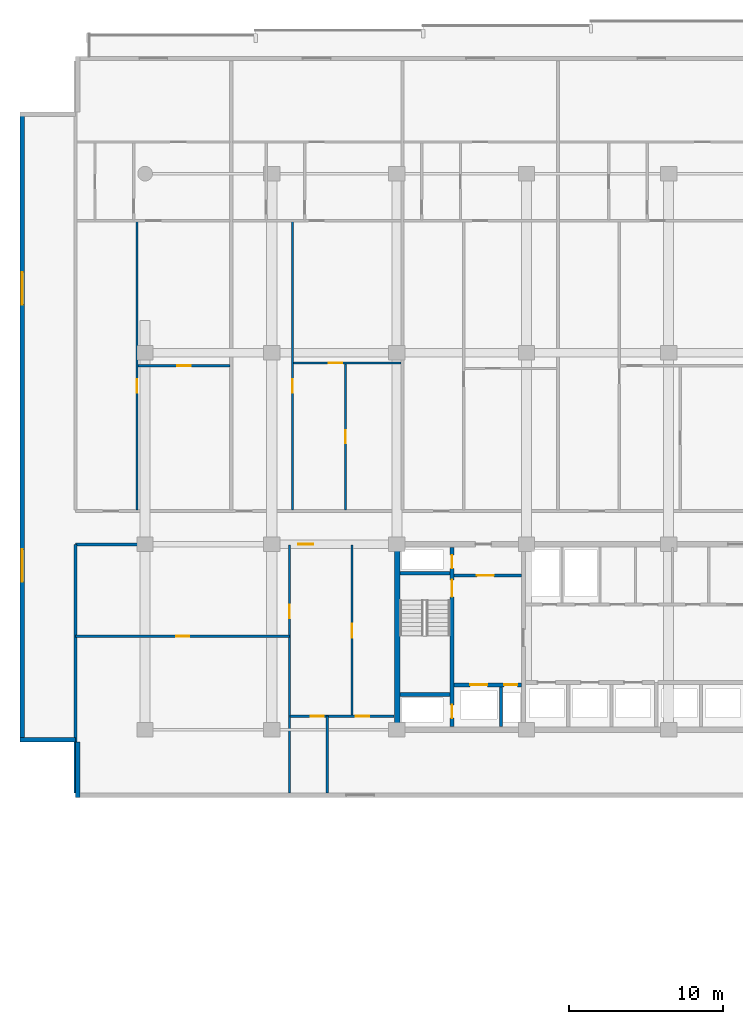
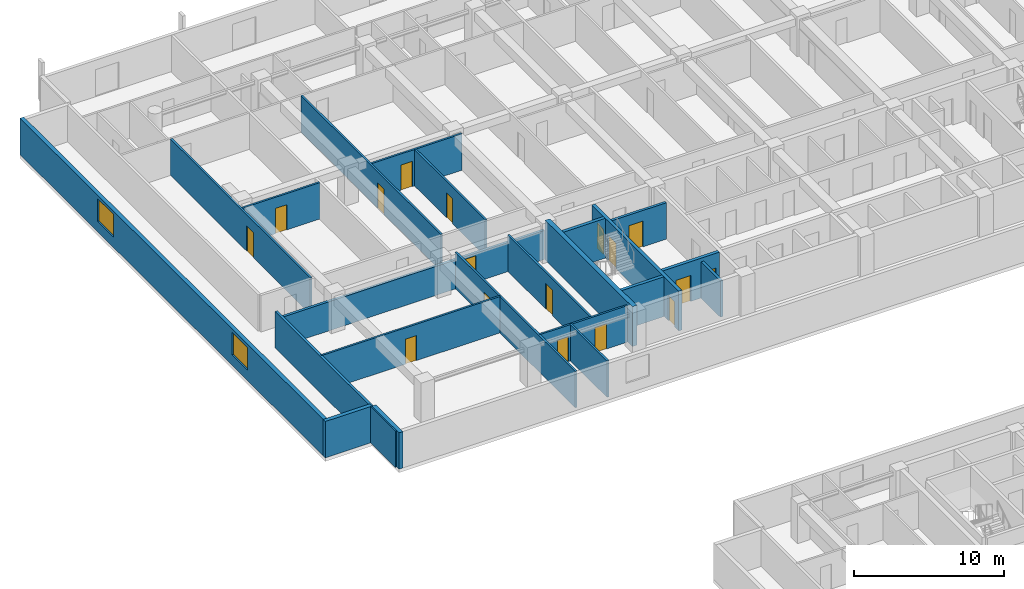
# One storey, part 9 of 23: 22 walls, 17 doors, 2 windows, 19 openings.
"""IFC4 building model written with IfcOpenShell, lengths in metres."""

from ifc_helpers import new_model, si_unit, direction, frame, frame_2d, origin, place, context, subcontext, project, spatial, rectangle, extrude, material, layer, layer_set, type_object, element, fill, save


model = new_model("IFC4")

# Units and contexts
model_context = context("Model", 3, precision=1e-05, world=origin(), true_north=direction((0.0, 1.0)))
body_context = subcontext(model_context, "Body", "Model", "MODEL_VIEW")
ifc_project = project(units=[si_unit("LENGTHUNIT", "METRE"), si_unit("AREAUNIT", "SQUARE_METRE"), si_unit("VOLUMEUNIT", "CUBIC_METRE"), si_unit("PLANEANGLEUNIT", "RADIAN"), si_unit("MASSUNIT", "GRAM", prefix="KILO")], contexts=[model_context])

# Site, building, storey
site_placement = place(None, origin())
site = spatial("IfcSite", under=ifc_project, at=site_placement, CompositionType="ELEMENT")
building_placement = place(site_placement, origin())
building = spatial("IfcBuilding", under=site, at=building_placement, Name="Korimba Cascade Residences", CompositionType="ELEMENT")
storey_placement = place(building_placement, frame((0.0, 0.0, 30.5)))
storey = spatial("IfcBuildingStorey", under=building, at=storey_placement, Name="L07", CompositionType="ELEMENT", Elevation=30.5)

# Wall, openings, windows
ifc_material_1 = material(Name="Precast concrete C40/50", Category="concrete")
ifc_layer_1 = layer(ifc_material_1, 0.300048828125)
ifc_layer_set_1 = layer_set([ifc_layer_1], Name="Precast concrete C40/50")
wall_type_1 = type_object("IfcWallType", Name="EW-STONE-300", PredefinedType="STANDARD", material=ifc_layer_set_1)
wall_1_placement = place(storey_placement, frame((51.85009765625, 95.199951171875, 0.0), z_axis=(0.0, 0.0, 1.0), x_axis=(0.0, -1.0, 0.0)))
wall_1 = element("IfcWall", 1, at=wall_1_placement, inside=storey, type_object=wall_type_1, Name="L07 T1 Perimeter Stone Wall E09", PredefinedType="STANDARD", context=body_context, shape_type="SweptSolid", body=[
    extrude(rectangle(XDim=40.800048828125, YDim=0.300048828125, at=frame_2d((20.39990234375, 0.0))), origin(), (0.0, 0.0, 1.0), 2.969970703125),
])
opening_1_placement = place(wall_1_placement, frame((10.3740234375, 0.0, 0.85009765625)))
opening_1 = element("IfcOpeningElement", 2, at=opening_1_placement, cuts=wall_1, Name="Opening W-03", PredefinedType="OPENING", context=body_context, shape_type="SweptSolid", body=[
    extrude(rectangle(XDim=2.10009765625, YDim=1.85009765625, at=frame_2d((1.050048828125, 0.925048828125))), frame((0.0, 0.16015625, 0.0), z_axis=(0.0, -1.0, 0.0), x_axis=(1.0, 0.0, 0.0)), (0.0, 0.0, 1.0), 0.320068359375),
])
opening_2_placement = place(wall_1_placement, frame((28.325927734375, 0.0, 0.85009765625)))
opening_2 = element("IfcOpeningElement", 3, at=opening_2_placement, cuts=wall_1, Name="Opening W-03", PredefinedType="OPENING", context=body_context, shape_type="SweptSolid", body=[
    extrude(rectangle(XDim=2.10009765625, YDim=1.85009765625, at=frame_2d((1.050048828125, 0.925048828125))), frame((0.0, 0.16015625, 0.0), z_axis=(0.0, -1.0, 0.0), x_axis=(1.0, 0.0, 0.0)), (0.0, 0.0, 1.0), 0.320068359375),
])
ifc_material_2 = material(Name="Double-Glazed Aluminium Window", Category="aluminium")
window_type = type_object("IfcWindowType", Name="WIN-CRN-2100", PartitioningType="DOUBLE_PANEL_HORIZONTAL", PredefinedType="WINDOW", material=ifc_material_2)
window_1_placement = place(opening_1_placement, origin())
window_1 = element("IfcWindow", 4, at=window_1_placement, inside=storey, type_object=window_type, Name="L07 T1 End View Window 9.1", OverallHeight=1.85009765625, OverallWidth=2.10009765625, PartitioningType="DOUBLE_PANEL_HORIZONTAL", PredefinedType="WINDOW", context=body_context, shape_type="SweptSolid", body=[
    extrude(rectangle(XDim=2.10009765625, YDim=1.85009765625, at=frame_2d((1.050048828125, 0.925048828125))), frame((0.0, 0.030029296875, 0.0), z_axis=(0.0, -1.0, 0.0), x_axis=(1.0, 0.0, 0.0)), (0.0, 0.0, 1.0), 0.06005859375),
])
fill(opening_1, window_1)
window_2_placement = place(opening_2_placement, origin())
window_2 = element("IfcWindow", 5, at=window_2_placement, inside=storey, type_object=window_type, Name="L07 T1 End View Window 9.2", OverallHeight=1.85009765625, OverallWidth=2.10009765625, PartitioningType="DOUBLE_PANEL_HORIZONTAL", PredefinedType="WINDOW", context=body_context, shape_type="SweptSolid", body=[
    extrude(rectangle(XDim=2.10009765625, YDim=1.85009765625, at=frame_2d((1.050048828125, 0.925048828125))), frame((0.0, 0.030029296875, 0.0), z_axis=(0.0, -1.0, 0.0), x_axis=(1.0, 0.0, 0.0)), (0.0, 0.0, 1.0), 0.06005859375),
])
fill(opening_2, window_2)

# Walls
wall_2_placement = place(storey_placement, frame((51.699951171875, 54.550048828125, 0.0), z_axis=(0.0, 0.0, 1.0), x_axis=(1.0, 0.0, 0.0)))
element("IfcWall", 6, at=wall_2_placement, inside=storey, type_object=wall_type_1, Name="L07 T1 Perimeter Stone Wall E10", PredefinedType="STANDARD", context=body_context, shape_type="SweptSolid", body=[
    extrude(rectangle(XDim=3.60009765625, YDim=0.300048828125, at=frame_2d((1.800048828125, 0.0))), origin(), (0.0, 0.0, 1.0), 2.969970703125),
])
wall_3_placement = place(storey_placement, frame((55.449951171875, 54.39990234375, 0.0), z_axis=(0.0, 0.0, 1.0), x_axis=(0.0, -1.0, 0.0)))
element("IfcWall", 7, at=wall_3_placement, inside=storey, type_object=wall_type_1, Name="L07 T1 Perimeter Stone Wall E11", PredefinedType="STANDARD", context=body_context, shape_type="SweptSolid", body=[
    extrude(rectangle(XDim=3.599853515625, YDim=0.300048828125, at=frame_2d((1.7998046875, 0.0))), origin(), (0.0, 0.0, 1.0), 2.969970703125),
])
ifc_material_3 = material(Name="Concrete C65/80", Category="concrete")
ifc_layer_2 = layer(ifc_material_3, 0.35009765625)
ifc_layer_set_2 = layer_set([ifc_layer_2], Name="Concrete C65/80")
wall_type_2 = type_object("IfcWallType", Name="WAL-CORE-350", PredefinedType="SHEAR", material=ifc_layer_set_2)
wall_4_placement = place(storey_placement, frame((76.125, 55.375, 0.0), z_axis=(0.0, 0.0, 1.0), x_axis=(0.0, 1.0, 0.0)))
element("IfcWall", 8, at=wall_4_placement, inside=storey, type_object=wall_type_2, Name="L07 Core Shear Wall CW-L07-T1-W", PredefinedType="SHEAR", context=body_context, shape_type="SweptSolid", body=[
    extrude(rectangle(XDim=11.64990234375, YDim=0.35009765625, at=frame_2d((5.824951171875, 0.0))), origin(), (0.0, 0.0, 1.0), 3.25),
])
ifc_layer_3 = layer(ifc_material_1, 0.199951171875)
ifc_layer_set_3 = layer_set([ifc_layer_3], Name="Precast concrete C40/50")
wall_type_3 = type_object("IfcWallType", Name="WAL-IT-200", PredefinedType="PARTITIONING", material=ifc_layer_set_3)
wall_5_placement = place(storey_placement, frame((55.300048828125, 51.10009765625, 0.0), z_axis=(0.0, 0.0, 1.0), x_axis=(0.0, 1.0, 0.0)))
element("IfcWall", 9, at=wall_5_placement, inside=storey, type_object=wall_type_3, Name="L07 Partition Wall WAL-L07-T1-FW-WL", PredefinedType="PARTITIONING", context=body_context, shape_type="SweptSolid", body=[
    extrude(rectangle(XDim=16.099853515625, YDim=0.199951171875, at=frame_2d((8.0498046875, 0.0))), origin(), (0.0, 0.0, 1.0), 2.969970703125),
])

# Wall, opening, door
wall_6_placement = place(storey_placement, frame((55.300048828125, 67.199951171875, 0.0), z_axis=(0.0, 0.0, 1.0), x_axis=(1.0, 0.0, 0.0)))
wall_6 = element("IfcWall", 10, at=wall_6_placement, inside=storey, type_object=wall_type_3, Name="L07 Partition Wall WAL-L07-T1-FW-N", PredefinedType="PARTITIONING", context=body_context, shape_type="SweptSolid", body=[
    extrude(rectangle(XDim=20.64990234375, YDim=0.199951171875, at=frame_2d((10.324951171875, 0.0))), origin(), (0.0, 0.0, 1.0), 2.3701171875),
])
opening_3_placement = place(wall_6_placement, frame((14.426025390625, 0.0, 0.0)))
opening_3 = element("IfcOpeningElement", 11, at=opening_3_placement, cuts=wall_6, Name="Opening D-UN1", PredefinedType="OPENING", context=body_context, shape_type="SweptSolid", body=[
    extrude(rectangle(XDim=0.949951171875, YDim=2.14990234375, at=frame_2d((0.47509765625, 1.074951171875))), frame((0.0, 0.10986328125, 0.0), z_axis=(0.0, -1.0, 0.0), x_axis=(1.0, 0.0, 0.0)), (0.0, 0.0, 1.0), 0.219970703125),
])
ifc_material_4 = material(Name="Fire-Rated Hardwood Apartment Entrance Door", Category="wood")
door_type_1 = type_object("IfcDoorType", Name="DR-FD60-950", OperationType="NOTDEFINED", PredefinedType="DOOR", material=ifc_material_4)
door_1_placement = place(opening_3_placement, origin())
door_1 = element("IfcDoor", 12, at=door_1_placement, inside=storey, type_object=door_type_1, Name="L07-T1-FW Entrance Door", OperationType="SINGLE_SWING_LEFT", OverallHeight=2.14990234375, OverallWidth=0.949951171875, PredefinedType="DOOR", context=body_context, shape_type="SweptSolid", body=[
    extrude(rectangle(XDim=0.949951171875, YDim=2.14990234375, at=frame_2d((0.47509765625, 1.074951171875))), frame((0.0, 0.02490234375, 0.0), z_axis=(0.0, -1.0, 0.0), x_axis=(1.0, 0.0, 0.0)), (0.0, 0.0, 1.0), 0.050048828125),
])
fill(opening_3, door_1)

ifc_material_5 = material(Name="Insulated Acoustic Stud Partition", Category="gypsum")
ifc_layer_4 = layer(ifc_material_5, 0.14990234375)
ifc_layer_set_4 = layer_set([ifc_layer_4], Name="Insulated Acoustic Stud Partition")
wall_type_4 = type_object("IfcWallType", Name="WAL-PART-150", PredefinedType="PARTITIONING", material=ifc_layer_set_4)
wall_7_placement = place(storey_placement, frame((55.300048828125, 61.25, 0.0), z_axis=(0.0, 0.0, 1.0), x_axis=(1.0, 0.0, 0.0)))
wall_7 = element("IfcWall", 13, at=wall_7_placement, inside=storey, type_object=wall_type_4, Name="L07 Partition Wall WAL-L07-T1-FW-STH", PredefinedType="PARTITIONING", context=body_context, shape_type="SweptSolid", body=[
    extrude(rectangle(XDim=13.849853515625, YDim=0.14990234375, at=frame_2d((6.9248046875, 0.0))), origin(), (0.0, 0.0, 1.0), 2.969970703125),
])
opening_4_placement = place(wall_7_placement, frame((6.5048828125, 0.0, 0.0)))
opening_4 = element("IfcOpeningElement", 14, at=opening_4_placement, cuts=wall_7, Name="Opening D-BT1", PredefinedType="OPENING", context=body_context, shape_type="SweptSolid", body=[
    extrude(rectangle(XDim=0.840087890625, YDim=2.0400390625, at=frame_2d((0.419921875, 1.02001953125))), frame((0.0, 0.0849609375, 0.0), z_axis=(0.0, -1.0, 0.0), x_axis=(1.0, 0.0, 0.0)), (0.0, 0.0, 1.0), 0.169921875),
])
ifc_material_6 = material(Name="Moisture-Resistant Bathroom Timber Door", Category="wood")
door_type_2 = type_object("IfcDoorType", Name="DR-INT-850", OperationType="NOTDEFINED", PredefinedType="DOOR", material=ifc_material_6)
door_2_placement = place(opening_4_placement, origin())
door_2 = element("IfcDoor", 15, at=door_2_placement, inside=storey, type_object=door_type_2, Name="L07-T1-FW Dressing Store Door", OperationType="SINGLE_SWING_RIGHT", OverallHeight=2.0400390625, OverallWidth=0.840087890625, PredefinedType="DOOR", context=body_context, shape_type="SweptSolid", body=[
    extrude(rectangle(XDim=0.840087890625, YDim=2.0400390625, at=frame_2d((0.419921875, 1.02001953125))), frame((0.0, 0.02490234375, 0.0), z_axis=(0.0, -1.0, 0.0), x_axis=(1.0, 0.0, 0.0)), (0.0, 0.0, 1.0), 0.050048828125),
])
fill(opening_4, door_2)

wall_8_placement = place(storey_placement, frame((69.14990234375, 51.10009765625, 0.0), z_axis=(0.0, 0.0, 1.0), x_axis=(0.0, 1.0, 0.0)))
wall_8 = element("IfcWall", 16, at=wall_8_placement, inside=storey, type_object=wall_type_4, Name="L07 Partition Wall WAL-L07-T1-FW-STV", PredefinedType="PARTITIONING", context=body_context, shape_type="SweptSolid", body=[
    extrude(rectangle(XDim=16.0498046875, YDim=0.14990234375, at=frame_2d((8.02490234375, 0.0))), origin(), (0.0, 0.0, 1.0), 2.969970703125),
])
opening_5_placement = place(wall_8_placement, frame((11.300048828125, 0.0, 0.0)))
opening_5 = element("IfcOpeningElement", 17, at=opening_5_placement, cuts=wall_8, Name="Opening D-IN2", PredefinedType="OPENING", context=body_context, shape_type="SweptSolid", body=[
    extrude(rectangle(XDim=0.8798828125, YDim=2.06005859375, at=frame_2d((0.43994140625, 1.030029296875))), frame((0.0, 0.0849609375, 0.0), z_axis=(0.0, -1.0, 0.0), x_axis=(1.0, 0.0, 0.0)), (0.0, 0.0, 1.0), 0.169921875),
])
ifc_material_7 = material(Name="Acoustic Timber Bedroom Door", Category="wood")
door_type_3 = type_object("IfcDoorType", Name="DR-INT-880", OperationType="NOTDEFINED", PredefinedType="DOOR", material=ifc_material_7)
door_3_placement = place(opening_5_placement, origin())
door_3 = element("IfcDoor", 18, at=door_3_placement, inside=storey, type_object=door_type_3, Name="L07-T1-FW Study Door", OperationType="SINGLE_SWING_LEFT", OverallHeight=2.06005859375, OverallWidth=0.8798828125, PredefinedType="DOOR", context=body_context, shape_type="SweptSolid", body=[
    extrude(rectangle(XDim=0.8798828125, YDim=2.06005859375, at=frame_2d((0.43994140625, 1.030029296875))), frame((0.0, 0.02490234375, 0.0), z_axis=(0.0, -1.0, 0.0), x_axis=(1.0, 0.0, 0.0)), (0.0, 0.0, 1.0), 0.050048828125),
])
fill(opening_5, door_3)

wall_9_placement = place(storey_placement, frame((73.199951171875, 56.070068359375, 0.0), z_axis=(0.0, 0.0, 1.0), x_axis=(0.0, 1.0, 0.0)))
wall_9 = element("IfcWall", 19, at=wall_9_placement, inside=storey, type_object=wall_type_4, Name="L07 Partition Wall WAL-L07-T1-FW-VN", PredefinedType="PARTITIONING", context=body_context, shape_type="SweptSolid", body=[
    extrude(rectangle(XDim=11.079833984375, YDim=0.14990234375, at=frame_2d((5.5400390625, 0.0))), origin(), (0.0, 0.0, 1.0), 2.969970703125),
])
opening_6_placement = place(wall_9_placement, frame((5.080078125, 0.0, 0.0)))
opening_6 = element("IfcOpeningElement", 20, at=opening_6_placement, cuts=wall_9, Name="Opening D-IN1", PredefinedType="OPENING", context=body_context, shape_type="SweptSolid", body=[
    extrude(rectangle(XDim=0.919921875, YDim=2.080078125, at=frame_2d((0.4599609375, 1.0400390625))), frame((0.0, 0.0849609375, 0.0), z_axis=(0.0, -1.0, 0.0), x_axis=(1.0, 0.0, 0.0)), (0.0, 0.0, 1.0), 0.169921875),
])
ifc_material_8 = material(Name="Acoustic Timber Living Door", Category="wood")
door_type_4 = type_object("IfcDoorType", Name="DR-INT-920", OperationType="NOTDEFINED", PredefinedType="DOOR", material=ifc_material_8)
door_4_placement = place(opening_6_placement, origin())
door_4 = element("IfcDoor", 21, at=door_4_placement, inside=storey, type_object=door_type_4, Name="L07-T1-FW Living Door", OperationType="SINGLE_SWING_RIGHT", OverallHeight=2.080078125, OverallWidth=0.919921875, PredefinedType="DOOR", context=body_context, shape_type="SweptSolid", body=[
    extrude(rectangle(XDim=0.919921875, YDim=2.080078125, at=frame_2d((0.4599609375, 1.0400390625))), frame((0.0, 0.02490234375, 0.0), z_axis=(0.0, -1.0, 0.0), x_axis=(1.0, 0.0, 0.0)), (0.0, 0.0, 1.0), 0.050048828125),
])
fill(opening_6, door_4)

# Wall
wall_10_placement = place(storey_placement, frame((71.60009765625, 51.10009765625, 0.0), z_axis=(0.0, 0.0, 1.0), x_axis=(0.0, 1.0, 0.0)))
element("IfcWall", 22, at=wall_10_placement, inside=storey, type_object=wall_type_4, Name="L07 Partition Wall WAL-L07-T1-FW-VS", PredefinedType="PARTITIONING", context=body_context, shape_type="SweptSolid", body=[
    extrude(rectangle(XDim=4.969970703125, YDim=0.14990234375, at=frame_2d((2.48486328125, 0.0))), origin(), (0.0, 0.0, 1.0), 2.969970703125),
])

# Wall, openings, doors
wall_11_placement = place(storey_placement, frame((69.169921875, 56.070068359375, 0.0), z_axis=(0.0, 0.0, 1.0), x_axis=(1.0, 0.0, 0.0)))
wall_11 = element("IfcWall", 23, at=wall_11_placement, inside=storey, type_object=wall_type_4, Name="L07 Partition Wall WAL-L07-T1-FW-H", PredefinedType="PARTITIONING", context=body_context, shape_type="SweptSolid", body=[
    extrude(rectangle(XDim=6.760009765625, YDim=0.14990234375, at=frame_2d((3.3798828125, 0.0))), origin(), (0.0, 0.0, 1.0), 2.969970703125),
])
opening_7_placement = place(wall_11_placement, frame((1.3623046875, 0.0, 0.0)))
opening_7 = element("IfcOpeningElement", 24, at=opening_7_placement, cuts=wall_11, Name="Opening D-BT1", PredefinedType="OPENING", context=body_context, shape_type="SweptSolid", body=[
    extrude(rectangle(XDim=0.840087890625, YDim=2.0400390625, at=frame_2d((0.419921875, 1.02001953125))), frame((0.0, 0.0849609375, 0.0), z_axis=(0.0, -1.0, 0.0), x_axis=(1.0, 0.0, 0.0)), (0.0, 0.0, 1.0), 0.169921875),
])
opening_8_placement = place(wall_11_placement, frame((4.276611328125, 0.0, 0.0)))
opening_8 = element("IfcOpeningElement", 25, at=opening_8_placement, cuts=wall_11, Name="Opening D-IN2", PredefinedType="OPENING", context=body_context, shape_type="SweptSolid", body=[
    extrude(rectangle(XDim=0.8798828125, YDim=2.06005859375, at=frame_2d((0.43994140625, 1.030029296875))), frame((0.0, 0.0849609375, 0.0), z_axis=(0.0, -1.0, 0.0), x_axis=(1.0, 0.0, 0.0)), (0.0, 0.0, 1.0), 0.169921875),
])
door_5_placement = place(opening_7_placement, origin())
door_5 = element("IfcDoor", 26, at=door_5_placement, inside=storey, type_object=door_type_2, Name="L07-T1-FW Bathroom Door", OperationType="SINGLE_SWING_LEFT", OverallHeight=2.0400390625, OverallWidth=0.840087890625, PredefinedType="DOOR", context=body_context, shape_type="SweptSolid", body=[
    extrude(rectangle(XDim=0.840087890625, YDim=2.0400390625, at=frame_2d((0.419921875, 1.02001953125))), frame((0.0, 0.02490234375, 0.0), z_axis=(0.0, -1.0, 0.0), x_axis=(1.0, 0.0, 0.0)), (0.0, 0.0, 1.0), 0.050048828125),
])
fill(opening_7, door_5)
door_6_placement = place(opening_8_placement, origin())
door_6 = element("IfcDoor", 27, at=door_6_placement, inside=storey, type_object=door_type_3, Name="L07-T1-FW Bedroom Door", OperationType="SINGLE_SWING_RIGHT", OverallHeight=2.06005859375, OverallWidth=0.8798828125, PredefinedType="DOOR", context=body_context, shape_type="SweptSolid", body=[
    extrude(rectangle(XDim=0.8798828125, YDim=2.06005859375, at=frame_2d((0.43994140625, 1.030029296875))), frame((0.0, 0.02490234375, 0.0), z_axis=(0.0, -1.0, 0.0), x_axis=(1.0, 0.0, 0.0)), (0.0, 0.0, 1.0), 0.050048828125),
])
fill(opening_8, door_6)

# Wall, opening, door
wall_12_placement = place(storey_placement, frame((59.330078125, 78.760009765625, 0.0), z_axis=(0.0, 0.0, 1.0), x_axis=(1.0, 0.0, 0.0)))
wall_12 = element("IfcWall", 28, at=wall_12_placement, inside=storey, type_object=wall_type_4, Name="L07 Partition Wall WAL-L07-T1-U01-FMH", PredefinedType="PARTITIONING", context=body_context, shape_type="SweptSolid", body=[
    extrude(rectangle(XDim=5.9677734375, YDim=0.14990234375, at=frame_2d((2.98388671875, 0.0))), origin(), (0.0, 0.0, 1.0), 2.969970703125),
])
opening_9_placement = place(wall_12_placement, frame((2.5439453125, 0.0, 0.0)))
opening_9 = element("IfcOpeningElement", 29, at=opening_9_placement, cuts=wall_12, Name="Opening D-IN2", PredefinedType="OPENING", context=body_context, shape_type="SweptSolid", body=[
    extrude(rectangle(XDim=0.8798828125, YDim=2.06005859375, at=frame_2d((0.43994140625, 1.030029296875))), frame((0.0, 0.0849609375, 0.0), z_axis=(0.0, -1.0, 0.0), x_axis=(1.0, 0.0, 0.0)), (0.0, 0.0, 1.0), 0.169921875),
])
door_7_placement = place(opening_9_placement, origin())
door_7 = element("IfcDoor", 30, at=door_7_placement, inside=storey, type_object=door_type_3, Name="L07-T1-U01 Library Salon Door", OperationType="SINGLE_SWING_RIGHT", OverallHeight=2.06005859375, OverallWidth=0.8798828125, PredefinedType="DOOR", context=body_context, shape_type="SweptSolid", body=[
    extrude(rectangle(XDim=0.8798828125, YDim=2.06005859375, at=frame_2d((0.43994140625, 1.030029296875))), frame((0.0, 0.02490234375, 0.0), z_axis=(0.0, -1.0, 0.0), x_axis=(1.0, 0.0, 0.0)), (0.0, 0.0, 1.0), 0.050048828125),
])
fill(opening_9, door_7)

wall_13_placement = place(storey_placement, frame((59.27001953125, 69.409912109375, 0.0), z_axis=(0.0, 0.0, 1.0), x_axis=(0.0, 1.0, 0.0)))
wall_13 = element("IfcWall", 31, at=wall_13_placement, inside=storey, type_object=wall_type_4, Name="L07 Partition Wall WAL-L07-T1-U01-FV", PredefinedType="PARTITIONING", context=body_context, shape_type="SweptSolid", body=[
    extrude(rectangle(XDim=18.7001953125, YDim=0.14990234375, at=frame_2d((9.35009765625, 0.0))), origin(), (0.0, 0.0, 1.0), 2.969970703125),
])
opening_10_placement = place(wall_13_placement, frame((7.59033203125, 0.0, 0.0)))
opening_10 = element("IfcOpeningElement", 32, at=opening_10_placement, cuts=wall_13, Name="Opening D-IN2", PredefinedType="OPENING", context=body_context, shape_type="SweptSolid", body=[
    extrude(rectangle(XDim=0.8798828125, YDim=2.06005859375, at=frame_2d((0.43994140625, 1.030029296875))), frame((0.0, 0.0849609375, 0.0), z_axis=(0.0, -1.0, 0.0), x_axis=(1.0, 0.0, 0.0)), (0.0, 0.0, 1.0), 0.169921875),
])
door_8_placement = place(opening_10_placement, origin())
door_8 = element("IfcDoor", 33, at=door_8_placement, inside=storey, type_object=door_type_3, Name="L07-T1-U01 Media Lounge Door", OperationType="SINGLE_SWING_LEFT", OverallHeight=2.06005859375, OverallWidth=0.8798828125, PredefinedType="DOOR", context=body_context, shape_type="SweptSolid", body=[
    extrude(rectangle(XDim=0.8798828125, YDim=2.06005859375, at=frame_2d((0.43994140625, 1.030029296875))), frame((0.0, 0.02490234375, 0.0), z_axis=(0.0, -1.0, 0.0), x_axis=(1.0, 0.0, 0.0)), (0.0, 0.0, 1.0), 0.050048828125),
])
fill(opening_10, door_8)

wall_14_placement = place(storey_placement, frame((72.77587890625, 69.409912109375, 0.0), z_axis=(0.0, 0.0, 1.0), x_axis=(0.0, 1.0, 0.0)))
wall_14 = element("IfcWall", 34, at=wall_14_placement, inside=storey, type_object=wall_type_4, Name="L07 Partition Wall WAL-L07-T1-U02-FMV", PredefinedType="PARTITIONING", context=body_context, shape_type="SweptSolid", body=[
    extrude(rectangle(XDim=9.530029296875, YDim=0.14990234375, at=frame_2d((4.76513671875, 0.0))), origin(), (0.0, 0.0, 1.0), 2.969970703125),
])
opening_11_placement = place(wall_14_placement, frame((4.344970703125, 0.0, 0.0)))
opening_11 = element("IfcOpeningElement", 35, at=opening_11_placement, cuts=wall_14, Name="Opening D-BT1", PredefinedType="OPENING", context=body_context, shape_type="SweptSolid", body=[
    extrude(rectangle(XDim=0.840087890625, YDim=2.0400390625, at=frame_2d((0.419921875, 1.02001953125))), frame((0.0, 0.0849609375, 0.0), z_axis=(0.0, -1.0, 0.0), x_axis=(1.0, 0.0, 0.0)), (0.0, 0.0, 1.0), 0.169921875),
])
door_9_placement = place(opening_11_placement, origin())
door_9 = element("IfcDoor", 36, at=door_9_placement, inside=storey, type_object=door_type_2, Name="L07-T1-U02 Wardrobe Door", OperationType="SINGLE_SWING_RIGHT", OverallHeight=2.0400390625, OverallWidth=0.840087890625, PredefinedType="DOOR", context=body_context, shape_type="SweptSolid", body=[
    extrude(rectangle(XDim=0.840087890625, YDim=2.0400390625, at=frame_2d((0.419921875, 1.02001953125))), frame((0.0, 0.02490234375, 0.0), z_axis=(0.0, -1.0, 0.0), x_axis=(1.0, 0.0, 0.0)), (0.0, 0.0, 1.0), 0.050048828125),
])
fill(opening_11, door_9)

wall_15_placement = place(storey_placement, frame((69.407958984375, 78.93994140625, 0.0), z_axis=(0.0, 0.0, 1.0), x_axis=(1.0, 0.0, 0.0)))
wall_15 = element("IfcWall", 37, at=wall_15_placement, inside=storey, type_object=wall_type_4, Name="L07 Partition Wall WAL-L07-T1-U02-FMH", PredefinedType="PARTITIONING", context=body_context, shape_type="SweptSolid", body=[
    extrude(rectangle(XDim=6.9755859375, YDim=0.14990234375, at=frame_2d((3.48779296875, 0.0))), origin(), (0.0, 0.0, 1.0), 2.969970703125),
])
opening_12_placement = place(wall_15_placement, frame((2.267822265625, 0.0, 0.0)))
opening_12 = element("IfcOpeningElement", 38, at=opening_12_placement, cuts=wall_15, Name="Opening D-IN2", PredefinedType="OPENING", context=body_context, shape_type="SweptSolid", body=[
    extrude(rectangle(XDim=0.8798828125, YDim=2.06005859375, at=frame_2d((0.43994140625, 1.030029296875))), frame((0.0, 0.0849609375, 0.0), z_axis=(0.0, -1.0, 0.0), x_axis=(1.0, 0.0, 0.0)), (0.0, 0.0, 1.0), 0.169921875),
])
door_10_placement = place(opening_12_placement, origin())
door_10 = element("IfcDoor", 39, at=door_10_placement, inside=storey, type_object=door_type_3, Name="L07-T1-U02 Library Salon Door", OperationType="SINGLE_SWING_LEFT", OverallHeight=2.06005859375, OverallWidth=0.8798828125, PredefinedType="DOOR", context=body_context, shape_type="SweptSolid", body=[
    extrude(rectangle(XDim=0.8798828125, YDim=2.06005859375, at=frame_2d((0.43994140625, 1.030029296875))), frame((0.0, 0.02490234375, 0.0), z_axis=(0.0, -1.0, 0.0), x_axis=(1.0, 0.0, 0.0)), (0.0, 0.0, 1.0), 0.050048828125),
])
fill(opening_12, door_10)

wall_16_placement = place(storey_placement, frame((69.347900390625, 69.409912109375, 0.0), z_axis=(0.0, 0.0, 1.0), x_axis=(0.0, 1.0, 0.0)))
wall_16 = element("IfcWall", 40, at=wall_16_placement, inside=storey, type_object=wall_type_4, Name="L07 Partition Wall WAL-L07-T1-U02-FV", PredefinedType="PARTITIONING", context=body_context, shape_type="SweptSolid", body=[
    extrude(rectangle(XDim=18.7001953125, YDim=0.14990234375, at=frame_2d((9.35009765625, 0.0))), origin(), (0.0, 0.0, 1.0), 2.969970703125),
])
opening_13_placement = place(wall_16_placement, frame((7.594970703125, 0.0, 0.0)))
opening_13 = element("IfcOpeningElement", 41, at=opening_13_placement, cuts=wall_16, Name="Opening D-IN2", PredefinedType="OPENING", context=body_context, shape_type="SweptSolid", body=[
    extrude(rectangle(XDim=0.8798828125, YDim=2.06005859375, at=frame_2d((0.43994140625, 1.030029296875))), frame((0.0, 0.0849609375, 0.0), z_axis=(0.0, -1.0, 0.0), x_axis=(1.0, 0.0, 0.0)), (0.0, 0.0, 1.0), 0.169921875),
])
door_11_placement = place(opening_13_placement, origin())
door_11 = element("IfcDoor", 42, at=door_11_placement, inside=storey, type_object=door_type_3, Name="L07-T1-U02 Media Lounge Door", OperationType="SINGLE_SWING_RIGHT", OverallHeight=2.06005859375, OverallWidth=0.8798828125, PredefinedType="DOOR", context=body_context, shape_type="SweptSolid", body=[
    extrude(rectangle(XDim=0.8798828125, YDim=2.06005859375, at=frame_2d((0.43994140625, 1.030029296875))), frame((0.0, 0.02490234375, 0.0), z_axis=(0.0, -1.0, 0.0), x_axis=(1.0, 0.0, 0.0)), (0.0, 0.0, 1.0), 0.050048828125),
])
fill(opening_13, door_11)

# Wall
ifc_material_9 = material(Name="Concrete C40/50", Category="concrete")
ifc_layer_5 = layer(ifc_material_9, 0.199951171875)
ifc_layer_set_5 = layer_set([ifc_layer_5], Name="Concrete C40/50")
wall_type_5 = type_object("IfcWallType", Name="WAL-PART-200", PredefinedType="PARTITIONING", material=ifc_layer_set_5)
wall_17_placement = place(storey_placement, frame((82.85009765625, 55.39990234375, 0.0), z_axis=(0.0, 0.0, 1.0), x_axis=(0.0, 1.0, 0.0)))
element("IfcWall", 43, at=wall_17_placement, inside=storey, type_object=wall_type_5, Name="L07 Partition Wall CW-L07-T1-FFLDIV", PredefinedType="PARTITIONING", context=body_context, shape_type="SweptSolid", body=[
    extrude(rectangle(XDim=2.56005859375, YDim=0.199951171875, at=frame_2d((1.280029296875, 0.0))), origin(), (0.0, 0.0, 1.0), 2.969970703125),
])

# Wall, opening, door
wall_18_placement = place(storey_placement, frame((79.7900390625, 65.179931640625, 0.0), z_axis=(0.0, 0.0, 1.0), x_axis=(1.0, 0.0, 0.0)))
wall_18 = element("IfcWall", 44, at=wall_18_placement, inside=storey, type_object=wall_type_5, Name="L07 Partition Wall CW-L07-T1-FFLN", PredefinedType="PARTITIONING", context=body_context, shape_type="SweptSolid", body=[
    extrude(rectangle(XDim=4.389892578125, YDim=0.199951171875, at=frame_2d((2.19482421875, 0.0))), origin(), (0.0, 0.0, 1.0), 2.969970703125),
])
opening_14_placement = place(wall_18_placement, frame((1.5, 0.0, 0.0)))
opening_14 = element("IfcOpeningElement", 45, at=opening_14_placement, cuts=wall_18, Name="Opening D-FD1", PredefinedType="OPENING", context=body_context, shape_type="SweptSolid", body=[
    extrude(rectangle(XDim=1.10009765625, YDim=2.10009765625, at=frame_2d((0.550048828125, 1.050048828125))), frame((0.0, 0.10986328125, 0.0), z_axis=(0.0, -1.0, 0.0), x_axis=(1.0, 0.0, 0.0)), (0.0, 0.0, 1.0), 0.219970703125),
])
ifc_material_10 = material(Name="Fire-Rated Steel Core Door", Category="steel")
door_type_5 = type_object("IfcDoorType", Name="DR-FD120-1100", OperationType="NOTDEFINED", PredefinedType="DOOR", material=ifc_material_10)
door_12_placement = place(opening_14_placement, origin())
door_12 = element("IfcDoor", 46, at=door_12_placement, inside=storey, type_object=door_type_5, Name="L07 West Firefighting Lobby Door", OperationType="SINGLE_SWING_LEFT", OverallHeight=2.10009765625, OverallWidth=1.10009765625, PredefinedType="DOOR", context=body_context, shape_type="SweptSolid", body=[
    extrude(rectangle(XDim=1.10009765625, YDim=2.10009765625, at=frame_2d((0.550048828125, 1.050048828125))), frame((0.0, 0.02490234375, 0.0), z_axis=(0.0, -1.0, 0.0), x_axis=(1.0, 0.0, 0.0)), (0.0, 0.0, 1.0), 0.050048828125),
])
fill(opening_14, door_12)

# Wall, openings, doors
ifc_material_11 = material(Name="Concrete C50/60", Category="concrete")
ifc_layer_6 = layer(ifc_material_11, 0.25)
ifc_layer_set_6 = layer_set([ifc_layer_6], Name="Concrete C50/60")
wall_type_6 = type_object("IfcWallType", Name="WAL-SHAFT-250", PredefinedType="SHEAR", material=ifc_layer_set_6)
wall_19_placement = place(storey_placement, frame((79.6650390625, 55.39990234375, 0.0), z_axis=(0.0, 0.0, 1.0), x_axis=(0.0, 1.0, 0.0)))
wall_19 = element("IfcWall", 47, at=wall_19_placement, inside=storey, type_object=wall_type_6, Name="L07 Core Shear Wall CW-L07-T1-STW1E", PredefinedType="SHEAR", context=body_context, shape_type="SweptSolid", body=[
    extrude(rectangle(XDim=11.60009765625, YDim=0.25, at=frame_2d((5.800048828125, 0.0))), origin(), (0.0, 0.0, 1.0), 3.25),
])
opening_15_placement = place(wall_19_placement, frame((0.550048828125, 0.0, 0.0)))
opening_15 = element("IfcOpeningElement", 48, at=opening_15_placement, cuts=wall_19, Name="Opening D-RS1", PredefinedType="OPENING", context=body_context, shape_type="SweptSolid", body=[
    extrude(rectangle(XDim=0.85009765625, YDim=2.050048828125, at=frame_2d((0.425048828125, 1.02490234375))), frame((0.0, 0.135009765625, 0.0), z_axis=(0.0, -1.0, 0.0), x_axis=(1.0, 0.0, 0.0)), (0.0, 0.0, 1.0), 0.27001953125),
])
opening_16_placement = place(wall_19_placement, frame((8.39990234375, 0.0, 0.0)))
opening_16 = element("IfcOpeningElement", 49, at=opening_16_placement, cuts=wall_19, Name="Opening D-FD1", PredefinedType="OPENING", context=body_context, shape_type="SweptSolid", body=[
    extrude(rectangle(XDim=1.10009765625, YDim=2.10009765625, at=frame_2d((0.550048828125, 1.050048828125))), frame((0.0, 0.135009765625, 0.0), z_axis=(0.0, -1.0, 0.0), x_axis=(1.0, 0.0, 0.0)), (0.0, 0.0, 1.0), 0.27001953125),
])
opening_17_placement = place(wall_19_placement, frame((10.25, 0.0, 0.0)))
opening_17 = element("IfcOpeningElement", 50, at=opening_17_placement, cuts=wall_19, Name="Opening D-RS1", PredefinedType="OPENING", context=body_context, shape_type="SweptSolid", body=[
    extrude(rectangle(XDim=0.85009765625, YDim=2.050048828125, at=frame_2d((0.425048828125, 1.02490234375))), frame((0.0, 0.135009765625, 0.0), z_axis=(0.0, -1.0, 0.0), x_axis=(1.0, 0.0, 0.0)), (0.0, 0.0, 1.0), 0.27001953125),
])
door_13_placement = place(opening_16_placement, origin())
door_13 = element("IfcDoor", 51, at=door_13_placement, inside=storey, type_object=door_type_5, Name="L07 Fire Stair ST-W1 Door", OperationType="SINGLE_SWING_RIGHT", OverallHeight=2.10009765625, OverallWidth=1.10009765625, PredefinedType="DOOR", context=body_context, shape_type="SweptSolid", body=[
    extrude(rectangle(XDim=1.10009765625, YDim=2.10009765625, at=frame_2d((0.550048828125, 1.050048828125))), frame((0.0, 0.02490234375, 0.0), z_axis=(0.0, -1.0, 0.0), x_axis=(1.0, 0.0, 0.0)), (0.0, 0.0, 1.0), 0.050048828125),
])
fill(opening_16, door_13)
ifc_material_12 = material(Name="Fire-Rated Steel Riser Access Door", Category="steel")
door_type_6 = type_object("IfcDoorType", Name="DR-FD60-850", OperationType="NOTDEFINED", PredefinedType="DOOR", material=ifc_material_12)
door_14_placement = place(opening_15_placement, origin())
door_14 = element("IfcDoor", 52, at=door_14_placement, inside=storey, type_object=door_type_6, Name="L07 Smoke Riser Access Door", OperationType="SINGLE_SWING_LEFT", OverallHeight=2.050048828125, OverallWidth=0.85009765625, PredefinedType="DOOR", context=body_context, shape_type="SweptSolid", body=[
    extrude(rectangle(XDim=0.85009765625, YDim=2.050048828125, at=frame_2d((0.425048828125, 1.02490234375))), frame((0.0, 0.02490234375, 0.0), z_axis=(0.0, -1.0, 0.0), x_axis=(1.0, 0.0, 0.0)), (0.0, 0.0, 1.0), 0.050048828125),
])
fill(opening_15, door_14)
door_15_placement = place(opening_17_placement, origin())
door_15 = element("IfcDoor", 53, at=door_15_placement, inside=storey, type_object=door_type_6, Name="L07 Hydrant Riser Access Door", OperationType="SINGLE_SWING_LEFT", OverallHeight=2.050048828125, OverallWidth=0.85009765625, PredefinedType="DOOR", context=body_context, shape_type="SweptSolid", body=[
    extrude(rectangle(XDim=0.85009765625, YDim=2.050048828125, at=frame_2d((0.425048828125, 1.02490234375))), frame((0.0, 0.02490234375, 0.0), z_axis=(0.0, -1.0, 0.0), x_axis=(1.0, 0.0, 0.0)), (0.0, 0.0, 1.0), 0.050048828125),
])
fill(opening_17, door_15)

# Walls
for number, where, z_axis, x_axis, name in (
    (54, (76.300048828125, 57.47509765625, 0.0), (0.0, 0.0, 1.0), (1.0, 0.0, 0.0), "L07 Core Shear Wall CW-L07-T1-STW1S"),
    (55, (76.300048828125, 65.324951171875, 0.0), (0.0, 0.0, 1.0), (1.0, 0.0, 0.0), "L07 Core Shear Wall CW-L07-T1-STW1N"),
):
    element("IfcWall", number, at=place(storey_placement, frame(where, z_axis=z_axis, x_axis=x_axis)), inside=storey, type_object=wall_type_6, Name=name, PredefinedType="SHEAR", context=body_context, shape_type="SweptSolid", body=[
        extrude(rectangle(XDim=3.239990234375, YDim=0.25, at=frame_2d((1.6201171875, 0.0))), origin(), (0.0, 0.0, 1.0), 3.25),
    ])

# Wall, openings, doors
wall_20_placement = place(storey_placement, frame((79.7900390625, 58.10009765625, 0.0), z_axis=(0.0, 0.0, 1.0), x_axis=(1.0, 0.0, 0.0)))
wall_20 = element("IfcWall", 56, at=wall_20_placement, inside=storey, type_object=wall_type_6, Name="L07 Core Shear Wall CW-L07-T1-FFLS", PredefinedType="SHEAR", context=body_context, shape_type="SweptSolid", body=[
    extrude(rectangle(XDim=4.389892578125, YDim=0.25, at=frame_2d((2.19482421875, 0.0))), origin(), (0.0, 0.0, 1.0), 3.25),
])
opening_18_placement = place(wall_20_placement, frame((1.050048828125, 0.0, 0.0)))
opening_18 = element("IfcOpeningElement", 57, at=opening_18_placement, cuts=wall_20, Name="Opening LD-01", PredefinedType="OPENING", context=body_context, shape_type="SweptSolid", body=[
    extrude(rectangle(XDim=1.1201171875, YDim=2.1201171875, at=frame_2d((0.56005859375, 1.06005859375))), frame((0.0, 0.135009765625, 0.0), z_axis=(0.0, -1.0, 0.0), x_axis=(1.0, 0.0, 0.0)), (0.0, 0.0, 1.0), 0.27001953125),
])
opening_19_placement = place(wall_20_placement, frame((3.260009765625, 0.0, 0.0)))
opening_19 = element("IfcOpeningElement", 58, at=opening_19_placement, cuts=wall_20, Name="Opening D-RS1", PredefinedType="OPENING", context=body_context, shape_type="SweptSolid", body=[
    extrude(rectangle(XDim=0.85009765625, YDim=2.050048828125, at=frame_2d((0.425048828125, 1.02490234375))), frame((0.0, 0.135009765625, 0.0), z_axis=(0.0, -1.0, 0.0), x_axis=(1.0, 0.0, 0.0)), (0.0, 0.0, 1.0), 0.27001953125),
])
door_16_placement = place(opening_19_placement, origin())
door_16 = element("IfcDoor", 59, at=door_16_placement, inside=storey, type_object=door_type_6, Name="L07 Pressurisation Riser Door", OperationType="SINGLE_SWING_RIGHT", OverallHeight=2.050048828125, OverallWidth=0.85009765625, PredefinedType="DOOR", context=body_context, shape_type="SweptSolid", body=[
    extrude(rectangle(XDim=0.85009765625, YDim=2.050048828125, at=frame_2d((0.425048828125, 1.02490234375))), frame((0.0, 0.02490234375, 0.0), z_axis=(0.0, -1.0, 0.0), x_axis=(1.0, 0.0, 0.0)), (0.0, 0.0, 1.0), 0.050048828125),
])
fill(opening_19, door_16)
ifc_material_13 = material(Name="Stainless Steel Lift Landing Sliding Door", Category="steel")
door_type_7 = type_object("IfcDoorType", Name="DR-LIFT-1100", OperationType="NOTDEFINED", PredefinedType="DOOR", material=ifc_material_13)
door_17_placement = place(opening_18_placement, origin())
door_17 = element("IfcDoor", 60, at=door_17_placement, inside=storey, type_object=door_type_7, Name="L07 Firefighting Lift Landing Door FFL-W1", OperationType="SLIDING_TO_LEFT", OverallHeight=2.1201171875, OverallWidth=1.1201171875, PredefinedType="DOOR", context=body_context, shape_type="SweptSolid", body=[
    extrude(rectangle(XDim=1.1201171875, YDim=2.1201171875, at=frame_2d((0.56005859375, 1.06005859375))), frame((0.0, 0.02490234375, 0.0), z_axis=(0.0, -1.0, 0.0), x_axis=(1.0, 0.0, 0.0)), (0.0, 0.0, 1.0), 0.050048828125),
])
fill(opening_18, door_17)

save(model, "model.ifc")
